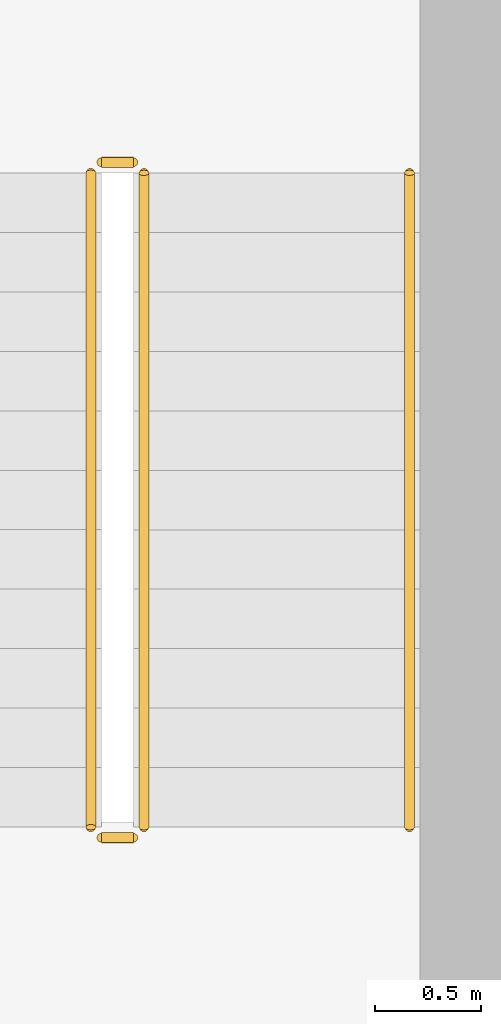
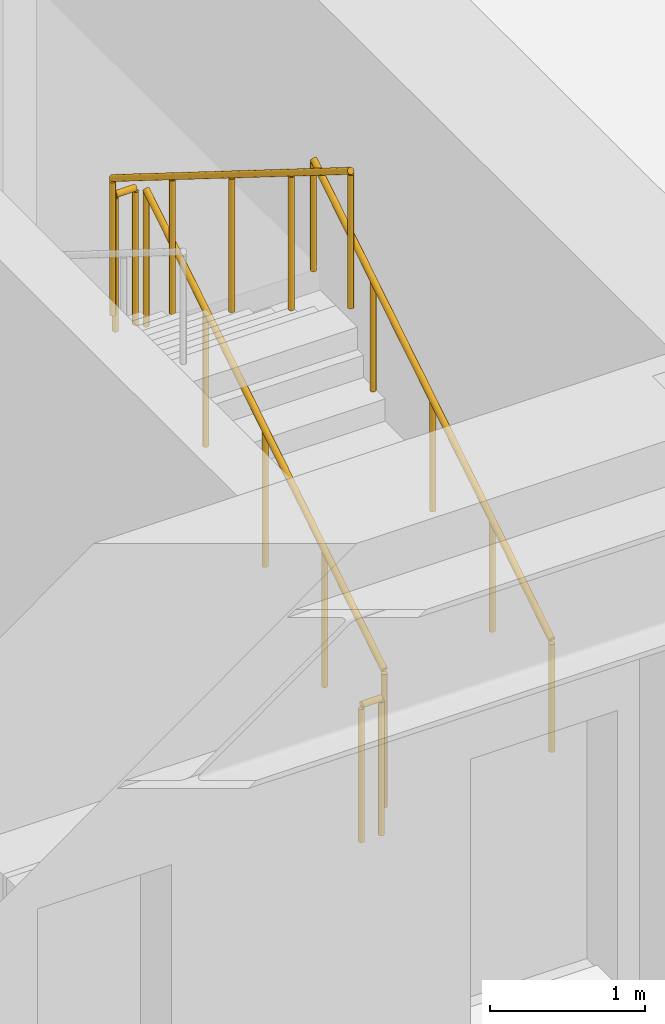
# One storey, part 11 of 11: 5 railings.
"""IFC4 building model written with IfcOpenShell, lengths in metres."""

from ifc_helpers import new_model, si_unit, direction, frame, origin, origin_2d, place, context, subcontext, project, spatial, circle, extrude, material, layer, layer_set, type_object, element, save


model = new_model("IFC4")

# Units and contexts
model_context = context("Model", 3, precision=1e-05, world=origin(), true_north=direction((0.0, 1.0)))
body_context = subcontext(model_context, "Body", "Model", "MODEL_VIEW")
ifc_project = project(units=[si_unit("LENGTHUNIT", "METRE"), si_unit("AREAUNIT", "SQUARE_METRE"), si_unit("VOLUMEUNIT", "CUBIC_METRE"), si_unit("PLANEANGLEUNIT", "RADIAN"), si_unit("MASSUNIT", "GRAM", prefix="KILO")], contexts=[model_context])

# Site, building, storey
site_placement = place(None, origin())
site = spatial("IfcSite", under=ifc_project, at=site_placement, CompositionType="ELEMENT")
building_placement = place(site_placement, origin())
building = spatial("IfcBuilding", under=site, at=building_placement, Name="Kravanh Interchange Tower", CompositionType="ELEMENT")
storey_placement = place(building_placement, frame((0.0, 0.0, -4.199951171875)))
storey = spatial("IfcBuildingStorey", under=building, at=storey_placement, Name="B1", CompositionType="ELEMENT", Elevation=-4.199951171875)

# Railings
ifc_material_1 = material(Name="Structural Steel S355", Category="steel")
ifc_layer_1 = layer(ifc_material_1, 0.050048828125)
ifc_layer_set_1 = layer_set([ifc_layer_1], Name="Stair Well Guardrail Structural Steel S355 1100mm")
railing_type_1 = type_object("IfcRailingType", Name="Stair Well Guardrail Structural Steel S355 1100mm", PredefinedType="GUARDRAIL", material=ifc_layer_set_1)
railing_1_placement = place(storey_placement, frame((64.550048828125, 39.89990234375, 0.175048828125)))
element("IfcRailing", 1, at=railing_1_placement, inside=storey, type_object=railing_type_1, Name="B1 ST1 stair guard 1", PredefinedType="GUARDRAIL", context=body_context, shape_type="SweptSolid", body=[
    extrude(circle(Radius=0.02392578125, at=origin_2d()), frame((0.0, 0.0, 1.076171875), z_axis=(0.0, 0.848028513186, 0.529950602248), x_axis=(-1.0, 0.0, 0.0)), (0.0, 0.0, 1.0), 3.632080078125),
    extrude(circle(Radius=0.02099609375, at=origin_2d()), origin(), (0.0, 0.0, 1.0), 1.052001953125),
    extrude(circle(Radius=0.02099609375, at=origin_2d()), frame((0.0, 0.77001953125, 0.481201171875)), (0.0, 0.0, 1.0), 1.052001953125),
    extrude(circle(Radius=0.02099609375, at=origin_2d()), frame((0.0, 1.5400390625, 0.96240234375)), (0.0, 0.0, 1.0), 1.052001953125),
    extrude(circle(Radius=0.02099609375, at=origin_2d()), frame((0.0, 2.31005859375, 1.443603515625)), (0.0, 0.0, 1.0), 1.052001953125),
    extrude(circle(Radius=0.02099609375, at=origin_2d()), frame((0.0, 3.080078125, 1.9248046875)), (0.0, 0.0, 1.0), 1.052001953125),
])
railing_2_placement = place(storey_placement, frame((64.5, 43.030029296875, 2.099853515625)))
element("IfcRailing", 2, at=railing_2_placement, inside=storey, type_object=railing_type_1, Name="B1 ST1 stair guard 2", PredefinedType="GUARDRAIL", context=body_context, shape_type="SweptSolid", body=[
    extrude(circle(Radius=0.02392578125, at=origin_2d()), frame((0.0, 0.0, 1.076171875), z_axis=(-1.0, 0.0, 0.0), x_axis=(0.0, -1.0, 0.0)), (0.0, 0.0, 1.0), 0.14990234375),
    extrude(circle(Radius=0.02099609375, at=origin_2d()), origin(), (0.0, 0.0, 1.0), 1.052001953125),
    extrude(circle(Radius=0.02099609375, at=origin_2d()), frame((-0.14990234375, 0.0, 0.0)), (0.0, 0.0, 1.0), 1.052001953125),
])
railing_3_placement = place(storey_placement, frame((64.300048828125, 42.97998046875, 2.27490234375)))
element("IfcRailing", 3, at=railing_3_placement, inside=storey, type_object=railing_type_1, Name="B1 ST1 stair guard 3", PredefinedType="GUARDRAIL", context=body_context, shape_type="SweptSolid", body=[
    extrude(circle(Radius=0.02392578125, at=origin_2d()), frame((0.0, 0.0, 1.076171875), z_axis=(0.0, -0.847998304005, 0.529998940003), x_axis=(1.0, 0.0, 0.0)), (0.0, 0.0, 1.0), 3.632080078125),
    extrude(circle(Radius=0.02099609375, at=origin_2d()), origin(), (0.0, 0.0, 1.0), 1.052001953125),
    extrude(circle(Radius=0.02099609375, at=origin_2d()), frame((0.0, -0.77001953125, 0.481201171875)), (0.0, 0.0, 1.0), 1.052001953125),
    extrude(circle(Radius=0.02099609375, at=origin_2d()), frame((0.0, -1.5400390625, 0.96240234375)), (0.0, 0.0, 1.0), 1.052001953125),
    extrude(circle(Radius=0.02099609375, at=origin_2d()), frame((0.0, -2.31005859375, 1.44384765625)), (0.0, 0.0, 1.0), 1.052001953125),
    extrude(circle(Radius=0.02099609375, at=origin_2d()), frame((0.0, -3.080078125, 1.925048828125)), (0.0, 0.0, 1.0), 1.052001953125),
])
railing_4_placement = place(storey_placement, frame((64.5, 39.85009765625, 0.0)))
element("IfcRailing", 4, at=railing_4_placement, inside=storey, type_object=railing_type_1, Name="B1 ST1 stair guard 4", PredefinedType="GUARDRAIL", context=body_context, shape_type="SweptSolid", body=[
    extrude(circle(Radius=0.02392578125, at=origin_2d()), frame((0.0, 0.0, 1.076171875), z_axis=(-1.0, 0.0, 0.0), x_axis=(0.0, -1.0, 0.0)), (0.0, 0.0, 1.0), 0.14990234375),
    extrude(circle(Radius=0.02099609375, at=origin_2d()), origin(), (0.0, 0.0, 1.0), 1.052001953125),
    extrude(circle(Radius=0.02099609375, at=origin_2d()), frame((-0.14990234375, 0.0, 0.0)), (0.0, 0.0, 1.0), 1.052001953125),
])
ifc_material_2 = material(Name="Stainless Steel 304", Category="steel")
ifc_layer_2 = layer(ifc_material_2, 0.044921875)
ifc_layer_set_2 = layer_set([ifc_layer_2], Name="Tubular Stair Handrail Stainless 304 900mm")
railing_type_2 = type_object("IfcRailingType", Name="Tubular Stair Handrail Stainless 304 900mm", PredefinedType="HANDRAIL", material=ifc_layer_set_2)
railing_5_placement = place(storey_placement, frame((65.800048828125, 39.89990234375, 0.175048828125)))
element("IfcRailing", 5, at=railing_5_placement, inside=storey, type_object=railing_type_2, Name="B1 ST1 stair handrail 1", PredefinedType="HANDRAIL", context=body_context, shape_type="SweptSolid", body=[
    extrude(circle(Radius=0.02392578125, at=origin_2d()), frame((0.0, 0.0, 0.8759765625), z_axis=(0.0, 0.848028513186, 0.529950602248), x_axis=(-1.0, 0.0, 0.0)), (0.0, 0.0, 1.0), 3.632080078125),
    extrude(circle(Radius=0.02099609375, at=origin_2d()), origin(), (0.0, 0.0, 1.0), 0.851806640625),
    extrude(circle(Radius=0.02099609375, at=origin_2d()), frame((0.0, 0.77001953125, 0.481201171875)), (0.0, 0.0, 1.0), 0.851806640625),
    extrude(circle(Radius=0.02099609375, at=origin_2d()), frame((0.0, 1.5400390625, 0.96240234375)), (0.0, 0.0, 1.0), 0.851806640625),
    extrude(circle(Radius=0.02099609375, at=origin_2d()), frame((0.0, 2.31005859375, 1.443603515625)), (0.0, 0.0, 1.0), 0.851806640625),
    extrude(circle(Radius=0.02099609375, at=origin_2d()), frame((0.0, 3.080078125, 1.9248046875)), (0.0, 0.0, 1.0), 0.851806640625),
])

save(model, "model.ifc")
